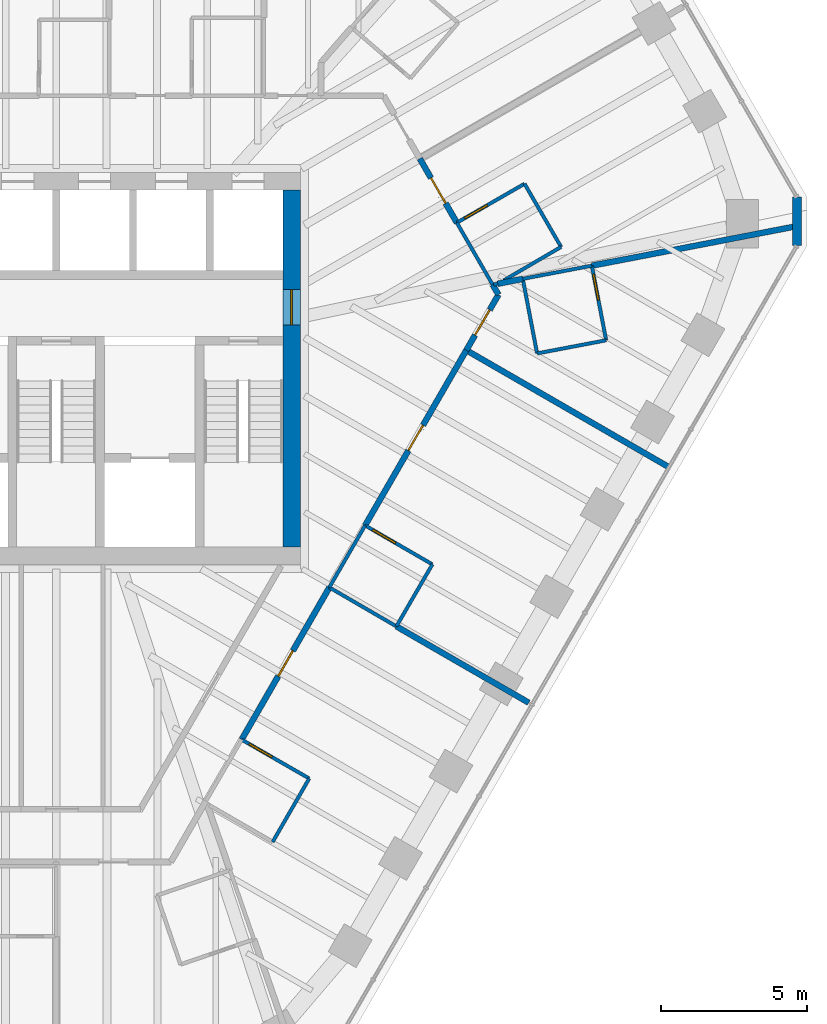
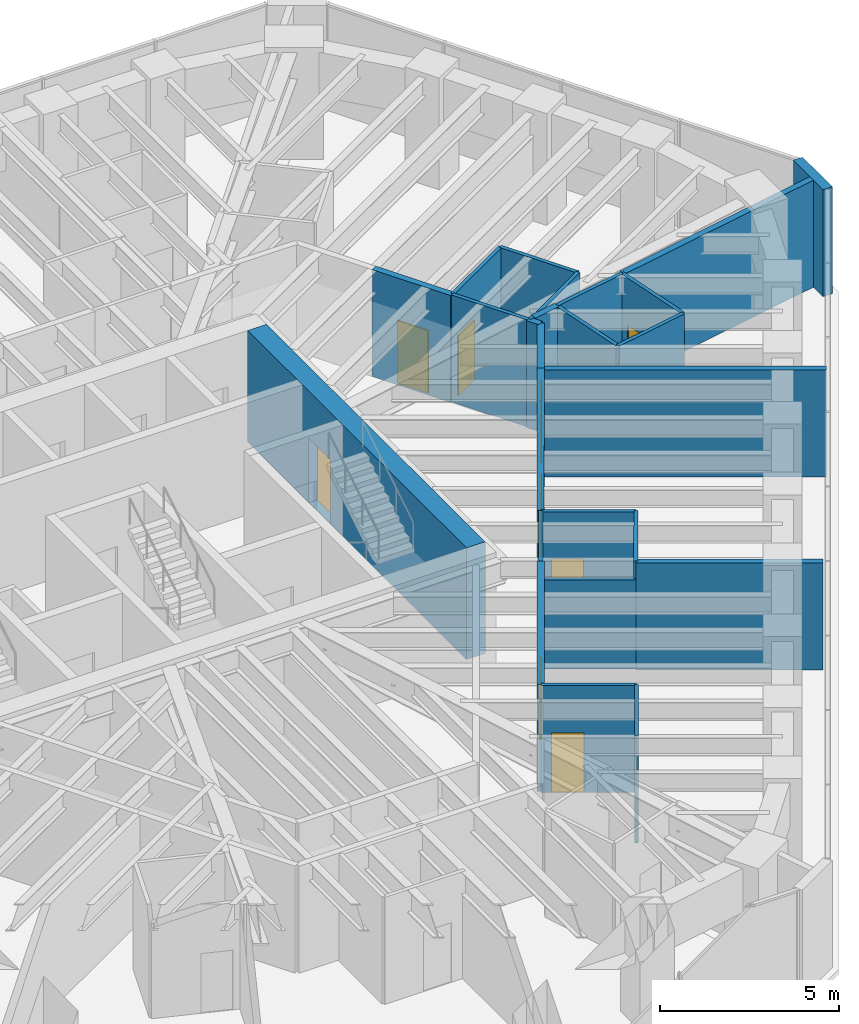
# One storey, part 11 of 14: 26 walls, 9 doors, 9 openings.
"""IFC4 building model written with IfcOpenShell, lengths in metres."""

from ifc_helpers import new_model, si_unit, direction, frame, frame_2d, origin, place, context, subcontext, project, spatial, rectangle, extrude, material, layer, layer_set, type_object, element, fill, save


model = new_model("IFC4")

# Units and contexts
model_context = context("Model", 3, precision=1e-05, world=origin(), true_north=direction((0.0, 1.0)))
body_context = subcontext(model_context, "Body", "Model", "MODEL_VIEW")
ifc_project = project(units=[si_unit("LENGTHUNIT", "METRE"), si_unit("AREAUNIT", "SQUARE_METRE"), si_unit("VOLUMEUNIT", "CUBIC_METRE"), si_unit("PLANEANGLEUNIT", "RADIAN"), si_unit("MASSUNIT", "GRAM", prefix="KILO")], contexts=[model_context])

# Site, building, storey
site_placement = place(None, origin())
site = spatial("IfcSite", under=ifc_project, at=site_placement, CompositionType="ELEMENT")
building_placement = place(site_placement, origin())
building = spatial("IfcBuilding", under=site, at=building_placement, Name="Sandreach Pilgrim Tower", CompositionType="ELEMENT")
storey_placement = place(building_placement, frame((0.0, 0.0, 276.0)))
storey = spatial("IfcBuildingStorey", under=building, at=storey_placement, Name="L69", CompositionType="ELEMENT", Elevation=276.0)

# Wall
ifc_material_1 = material(Name="Moisture-resistant gypsum board on steel studs", Category="steel")
ifc_layer_1 = layer(ifc_material_1, 0.1201171875)
ifc_layer_set_1 = layer_set([ifc_layer_1], Name="Bathroom partition 120")
wall_type_1 = type_object("IfcWallType", Name="Bathroom partition 120", PredefinedType="PARTITIONING", material=ifc_layer_set_1)
wall_1_placement = place(storey_placement, frame((7.39990234375, -16.179931640625, 0.0), z_axis=(0.0, 0.0, 1.0), x_axis=(0.499159685399, 0.866510016372, 0.0)))
element("IfcWall", 1, at=wall_1_placement, inside=storey, type_object=wall_type_1, Name="Bathroom partition L69-087", PredefinedType="PARTITIONING", context=body_context, shape_type="SweptSolid", body=[
    extrude(rectangle(XDim=2.504150390625, YDim=0.1201171875, at=frame_2d((1.251953125, 0.0))), origin(), (0.0, 0.0, 1.0), 3.639892578125),
])

# Wall, opening, door
wall_2_placement = place(storey_placement, frame((8.64990234375, -14.010009765625, 0.0), z_axis=(0.0, 0.0, 1.0), x_axis=(-0.866592449628, 0.499016559092, 0.0)))
wall_2 = element("IfcWall", 2, at=wall_2_placement, inside=storey, type_object=wall_type_1, Name="Bathroom partition L69-089", PredefinedType="PARTITIONING", context=body_context, shape_type="SweptSolid", body=[
    extrude(rectangle(XDim=2.665283203125, YDim=0.1201171875, at=frame_2d((1.33251953125, 0.0))), origin(), (0.0, 0.0, 1.0), 3.639892578125),
])
opening_1_placement = place(wall_2_placement, frame((1.465576171875, 0.0, 0.0)))
opening_1 = element("IfcOpeningElement", 3, at=opening_1_placement, cuts=wall_2, Name="Opening D09-09B", PredefinedType="OPENING", context=body_context, shape_type="SweptSolid", body=[
    extrude(rectangle(XDim=0.89990234375, YDim=2.030029296875, at=frame_2d((0.449951171875, 1.01513671875))), frame((0.0, 0.06005859375, 0.0), z_axis=(0.0, -1.0, 0.0), x_axis=(1.0, 0.0, 0.0)), (0.0, 0.0, 1.0), 0.1201171875),
])
ifc_material_2 = material(Name="Timber door, steel frame", Category="steel")
door_type_1 = type_object("IfcDoorType", Name="Bathroom door", OperationType="SINGLE_SWING_LEFT", PredefinedType="DOOR", material=ifc_material_2)
door_1_placement = place(opening_1_placement, origin())
door_1 = element("IfcDoor", 4, at=door_1_placement, inside=storey, type_object=door_type_1, Name="Door 6909B", OperationType="SINGLE_SWING_RIGHT", OverallHeight=2.030029296875, OverallWidth=0.89990234375, PredefinedType="DOOR", context=body_context, shape_type="SweptSolid", body=[
    extrude(rectangle(XDim=0.89990234375, YDim=2.030029296875, at=frame_2d((0.449951171875, 1.01513671875))), frame((0.0, 0.02490234375, 0.0), z_axis=(0.0, -1.0, 0.0), x_axis=(1.0, 0.0, 0.0)), (0.0, 0.0, 1.0), 0.050048828125),
])
fill(opening_1, door_1)

# Walls
wall_3_placement = place(storey_placement, frame((9.336669921875, -7.47802734375, 0.0), z_axis=(0.0, 0.0, 1.0), x_axis=(0.500186129468, 0.865917915214, 0.0)))
element("IfcWall", 5, at=wall_3_placement, inside=storey, type_object=wall_type_1, Name="Bathroom partition L69-092", PredefinedType="PARTITIONING", context=body_context, shape_type="SweptSolid", body=[
    extrude(rectangle(XDim=2.44580078125, YDim=0.1201171875, at=frame_2d((1.222900390625, 0.0))), origin(), (0.0, 0.0, 1.0), 3.639892578125),
])
wall_4_placement = place(storey_placement, frame((9.340087890625, -7.47998046875, 0.0), z_axis=(0.0, 0.0, 1.0), x_axis=(0.864703697948, -0.502282305835, 0.0)))
element("IfcWall", 6, at=wall_4_placement, inside=storey, type_object=wall_type_1, Name="Bathroom partition L69-093", PredefinedType="PARTITIONING", context=body_context, shape_type="SweptSolid", body=[
    extrude(rectangle(XDim=2.64794921875, YDim=0.1201171875, at=frame_2d((1.323974609375, 0.0))), origin(), (0.0, 0.0, 1.0), 3.0380859375),
])
wall_5_placement = place(storey_placement, frame((11.6298828125, -8.81005859375, 0.0), z_axis=(0.0, 0.0, 1.0), x_axis=(0.501888006485, 0.864932615264, 0.0)))
element("IfcWall", 7, at=wall_5_placement, inside=storey, type_object=wall_type_1, Name="Bathroom partition L69-101", PredefinedType="PARTITIONING", context=body_context, shape_type="SweptSolid", body=[
    extrude(rectangle(XDim=2.451171875, YDim=0.1201171875, at=frame_2d((1.2255859375, 0.0))), origin(), (0.0, 0.0, 1.0), 3.639892578125),
])

# Wall, opening, door
wall_6_placement = place(storey_placement, frame((12.860107421875, -6.68994140625, 0.0), z_axis=(0.0, 0.0, 1.0), x_axis=(-0.865675724273, 0.500605174168, 0.0)))
wall_6 = element("IfcWall", 8, at=wall_6_placement, inside=storey, type_object=wall_type_1, Name="Bathroom partition L69-105", PredefinedType="PARTITIONING", context=body_context, shape_type="SweptSolid", body=[
    extrude(rectangle(XDim=2.656982421875, YDim=0.1201171875, at=frame_2d((1.32861328125, 0.0))), origin(), (0.0, 0.0, 1.0), 3.639892578125),
])
opening_2_placement = place(wall_6_placement, frame((1.456787109375, 0.0, 0.0)))
opening_2 = element("IfcOpeningElement", 9, at=opening_2_placement, cuts=wall_6, Name="Opening D09-08B", PredefinedType="OPENING", context=body_context, shape_type="SweptSolid", body=[
    extrude(rectangle(XDim=0.89990234375, YDim=2.030029296875, at=frame_2d((0.449951171875, 1.01513671875))), frame((0.0, 0.06005859375, 0.0), z_axis=(0.0, -1.0, 0.0), x_axis=(1.0, 0.0, 0.0)), (0.0, 0.0, 1.0), 0.1201171875),
])
door_2_placement = place(opening_2_placement, origin())
door_2 = element("IfcDoor", 10, at=door_2_placement, inside=storey, type_object=door_type_1, Name="Door 6908B", OperationType="SINGLE_SWING_RIGHT", OverallHeight=2.030029296875, OverallWidth=0.89990234375, PredefinedType="DOOR", context=body_context, shape_type="SweptSolid", body=[
    extrude(rectangle(XDim=0.89990234375, YDim=2.030029296875, at=frame_2d((0.449951171875, 1.01513671875))), frame((0.0, 0.02490234375, 0.0), z_axis=(0.0, -1.0, 0.0), x_axis=(1.0, 0.0, 0.0)), (0.0, 0.0, 1.0), 0.050048828125),
])
fill(opening_2, door_2)

# Walls
wall_7_placement = place(storey_placement, frame((13.696533203125, 4.988037109375, 0.0), z_axis=(0.0, 0.0, 1.0), x_axis=(0.500142899558, -0.865942884965, 0.0)))
element("IfcWall", 11, at=wall_7_placement, inside=storey, type_object=wall_type_1, Name="Bathroom partition L69-106", PredefinedType="PARTITIONING", context=body_context, shape_type="SweptSolid", body=[
    extrude(rectangle(XDim=2.446044921875, YDim=0.1201171875, at=frame_2d((1.22314453125, 0.0))), origin(), (0.0, 0.0, 1.0), 3.639892578125),
])
wall_8_placement = place(storey_placement, frame((14.95458984375, 2.875732421875, 0.0), z_axis=(0.0, 0.0, 1.0), x_axis=(0.986483246584, 0.16386215002, 0.0)))
element("IfcWall", 12, at=wall_8_placement, inside=storey, type_object=wall_type_1, Name="Bathroom partition L69-110", PredefinedType="PARTITIONING", context=body_context, shape_type="SweptSolid", body=[
    extrude(rectangle(XDim=0.1474609375, YDim=0.1201171875, at=frame_2d((0.07373046875, 0.0))), origin(), (0.0, 0.0, 1.0), 3.639892578125),
])
wall_9_placement = place(storey_placement, frame((15.29443359375, 3.013427734375, 0.0), z_axis=(0.0, 0.0, 1.0), x_axis=(0.863798357138, 0.503837670491, 0.0)))
element("IfcWall", 13, at=wall_9_placement, inside=storey, type_object=wall_type_1, Name="Bathroom partition L69-111", PredefinedType="PARTITIONING", context=body_context, shape_type="SweptSolid", body=[
    extrude(rectangle(XDim=2.275390625, YDim=0.1201171875, at=frame_2d((1.1376953125, 0.0))), origin(), (0.0, 0.0, 1.0), 3.639892578125),
])
wall_10_placement = place(storey_placement, frame((15.949951171875, 3.070068359375, 0.0), z_axis=(0.0, 0.0, 1.0), x_axis=(0.188697442844, -0.982035271802, 0.0)))
element("IfcWall", 14, at=wall_10_placement, inside=storey, type_object=wall_type_1, Name="Bathroom partition L69-113", PredefinedType="PARTITIONING", context=body_context, shape_type="SweptSolid", body=[
    extrude(rectangle(XDim=2.5966796875, YDim=0.1201171875, at=frame_2d((1.29833984375, 0.0))), origin(), (0.0, 0.0, 1.0), 3.639892578125),
])
wall_11_placement = place(storey_placement, frame((15.949951171875, 3.070068359375, 0.0), z_axis=(0.0, 0.0, 1.0), x_axis=(0.982307423658, 0.187275533444, 0.0)))
element("IfcWall", 15, at=wall_11_placement, inside=storey, type_object=wall_type_1, Name="Bathroom partition L69-114", PredefinedType="PARTITIONING", context=body_context, shape_type="SweptSolid", body=[
    extrude(rectangle(XDim=2.402587890625, YDim=0.1201171875, at=frame_2d((1.201171875, 0.0))), origin(), (0.0, 0.0, 1.0), 3.639892578125),
])

# Wall, opening, door
wall_12_placement = place(storey_placement, frame((16.010009765625, 6.320068359375, 0.0), z_axis=(0.0, 0.0, 1.0), x_axis=(-0.866615255992, -0.498976951453, 0.0)))
wall_12 = element("IfcWall", 16, at=wall_12_placement, inside=storey, type_object=wall_type_1, Name="Bathroom partition L69-115", PredefinedType="PARTITIONING", context=body_context, shape_type="SweptSolid", body=[
    extrude(rectangle(XDim=2.66552734375, YDim=0.1201171875, at=frame_2d((1.332763671875, 0.0))), origin(), (0.0, 0.0, 1.0), 3.639892578125),
])
opening_3_placement = place(wall_12_placement, frame((1.465576171875, 0.0, 0.0)))
opening_3 = element("IfcOpeningElement", 17, at=opening_3_placement, cuts=wall_12, Name="Opening D09-06B", PredefinedType="OPENING", context=body_context, shape_type="SweptSolid", body=[
    extrude(rectangle(XDim=0.89990234375, YDim=2.030029296875, at=frame_2d((0.449951171875, 1.01513671875))), frame((0.0, 0.06005859375, 0.0), z_axis=(0.0, -1.0, 0.0), x_axis=(1.0, 0.0, 0.0)), (0.0, 0.0, 1.0), 0.1201171875),
])
door_3_placement = place(opening_3_placement, origin())
door_3 = element("IfcDoor", 18, at=door_3_placement, inside=storey, type_object=door_type_1, Name="Door 6906B", OperationType="SINGLE_SWING_RIGHT", OverallHeight=2.030029296875, OverallWidth=0.89990234375, PredefinedType="DOOR", context=body_context, shape_type="SweptSolid", body=[
    extrude(rectangle(XDim=0.89990234375, YDim=2.030029296875, at=frame_2d((0.449951171875, 1.01513671875))), frame((0.0, 0.02490234375, 0.0), z_axis=(0.0, -1.0, 0.0), x_axis=(1.0, 0.0, 0.0)), (0.0, 0.0, 1.0), 0.050048828125),
])
fill(opening_3, door_3)

# Walls
wall_13_placement = place(storey_placement, frame((16.43994140625, 0.52001953125, 0.0), z_axis=(0.0, 0.0, 1.0), x_axis=(0.982307423658, 0.187275533444, 0.0)))
element("IfcWall", 19, at=wall_13_placement, inside=storey, type_object=wall_type_1, Name="Bathroom partition L69-117", PredefinedType="PARTITIONING", context=body_context, shape_type="SweptSolid", body=[
    extrude(rectangle(XDim=2.402587890625, YDim=0.1201171875, at=frame_2d((1.201171875, 0.0))), origin(), (0.0, 0.0, 1.0), 3.639892578125),
])
wall_14_placement = place(storey_placement, frame((17.260009765625, 4.159912109375, 0.0), z_axis=(0.0, 0.0, 1.0), x_axis=(-0.500851167559, 0.865533423938, 0.0)))
element("IfcWall", 20, at=wall_14_placement, inside=storey, type_object=wall_type_1, Name="Bathroom partition L69-118", PredefinedType="PARTITIONING", context=body_context, shape_type="SweptSolid", body=[
    extrude(rectangle(XDim=2.495849609375, YDim=0.1201171875, at=frame_2d((1.248046875, 0.0))), origin(), (0.0, 0.0, 1.0), 3.639892578125),
])

# Wall, opening, door
wall_15_placement = place(storey_placement, frame((18.800048828125, 0.969970703125, 0.0), z_axis=(0.0, 0.0, 1.0), x_axis=(-0.188697442844, 0.982035271802, 0.0)))
wall_15 = element("IfcWall", 21, at=wall_15_placement, inside=storey, type_object=wall_type_1, Name="Bathroom partition L69-120", PredefinedType="PARTITIONING", context=body_context, shape_type="SweptSolid", body=[
    extrude(rectangle(XDim=2.5966796875, YDim=0.1201171875, at=frame_2d((1.29833984375, 0.0))), origin(), (0.0, 0.0, 1.0), 3.639892578125),
])
opening_4_placement = place(wall_15_placement, frame((1.396728515625, 0.0, 0.0)))
opening_4 = element("IfcOpeningElement", 22, at=opening_4_placement, cuts=wall_15, Name="Opening D09-07B", PredefinedType="OPENING", context=body_context, shape_type="SweptSolid", body=[
    extrude(rectangle(XDim=0.89990234375, YDim=2.030029296875, at=frame_2d((0.449951171875, 1.01513671875))), frame((0.0, 0.06005859375, 0.0), z_axis=(0.0, -1.0, 0.0), x_axis=(1.0, 0.0, 0.0)), (0.0, 0.0, 1.0), 0.1201171875),
])
door_4_placement = place(opening_4_placement, origin())
door_4 = element("IfcDoor", 23, at=door_4_placement, inside=storey, type_object=door_type_1, Name="Door 6907B", OperationType="SINGLE_SWING_RIGHT", OverallHeight=2.030029296875, OverallWidth=0.89990234375, PredefinedType="DOOR", context=body_context, shape_type="SweptSolid", body=[
    extrude(rectangle(XDim=0.89990234375, YDim=2.030029296875, at=frame_2d((0.449951171875, 1.01513671875))), frame((0.0, 0.02490234375, 0.0), z_axis=(0.0, -1.0, 0.0), x_axis=(1.0, 0.0, 0.0)), (0.0, 0.0, 1.0), 0.050048828125),
])
fill(opening_4, door_4)

ifc_material_3 = material(Name="Concrete 10000 psi", Category="concrete")
ifc_layer_2 = layer(ifc_material_3, 0.60009765625)
ifc_layer_set_2 = layer_set([ifc_layer_2], Name="Core wall 600")
wall_type_2 = type_object("IfcWallType", Name="Core wall 600", PredefinedType="SHEAR", material=ifc_layer_set_2)
wall_16_placement = place(storey_placement, frame((8.050048828125, -6.10009765625, 0.0), z_axis=(0.0, 0.0, 1.0), x_axis=(0.0, 1.0, 0.0)))
wall_16 = element("IfcWall", 24, at=wall_16_placement, inside=storey, type_object=wall_type_2, Name="Core wall E L69", PredefinedType="SHEAR", context=body_context, shape_type="SweptSolid", body=[
    extrude(rectangle(XDim=12.2001953125, YDim=0.60009765625, at=frame_2d((6.10009765625, 0.0))), origin(), (0.0, 0.0, 1.0), 3.800048828125),
])
opening_5_placement = place(wall_16_placement, frame((7.60009765625, 0.0, 0.0)))
opening_5 = element("IfcOpeningElement", 25, at=opening_5_placement, cuts=wall_16, Name="Opening D12F-E", PredefinedType="OPENING", context=body_context, shape_type="SweptSolid", body=[
    extrude(rectangle(XDim=1.199951171875, YDim=2.199951171875, at=frame_2d((0.60009765625, 1.10009765625))), frame((0.0, 0.300048828125, 0.0), z_axis=(0.0, -1.0, 0.0), x_axis=(1.0, 0.0, 0.0)), (0.0, 0.0, 1.0), 0.60009765625),
])
ifc_material_4 = material(Name="Steel door and frame", Category="steel")
door_type_2 = type_object("IfcDoorType", Name="Fire lobby door", OperationType="SINGLE_SWING_LEFT", PredefinedType="DOOR", material=ifc_material_4)
door_5_placement = place(opening_5_placement, origin())
door_5 = element("IfcDoor", 26, at=door_5_placement, inside=storey, type_object=door_type_2, Name="Fire service lobby door E L69", OperationType="SINGLE_SWING_RIGHT", OverallHeight=2.199951171875, OverallWidth=1.199951171875, PredefinedType="DOOR", context=body_context, shape_type="SweptSolid", body=[
    extrude(rectangle(XDim=1.199951171875, YDim=2.199951171875, at=frame_2d((0.60009765625, 1.10009765625))), frame((0.0, 0.02490234375, 0.0), z_axis=(0.0, -1.0, 0.0), x_axis=(1.0, 0.0, 0.0)), (0.0, 0.0, 1.0), 0.050048828125),
])
fill(opening_5, door_5)

ifc_material_5 = material(Name="Gypsum board on steel studs, two layers each side", Category="steel")
ifc_layer_3 = layer(ifc_material_5, 0.199951171875)
ifc_layer_set_3 = layer_set([ifc_layer_3], Name="Corridor wall 200")
wall_type_3 = type_object("IfcWallType", Name="Corridor wall 200", PredefinedType="PARTITIONING", material=ifc_layer_set_3)
wall_17_placement = place(storey_placement, frame((6.340087890625, -12.679931640625, 0.0), z_axis=(0.0, 0.0, 1.0), x_axis=(0.499725974117, 0.866183554908, 0.0)))
wall_17 = element("IfcWall", 27, at=wall_17_placement, inside=storey, type_object=wall_type_3, Name="Corridor wall L69-077", PredefinedType="PARTITIONING", context=body_context, shape_type="SweptSolid", body=[
    extrude(rectangle(XDim=6.003173828125, YDim=0.199951171875, at=frame_2d((3.00146484375, 0.0))), origin(), (0.0, 0.0, 1.0), 3.639892578125),
])
opening_6_placement = place(wall_17_placement, frame((2.501708984375, 0.0, 0.0)))
opening_6 = element("IfcOpeningElement", 28, at=opening_6_placement, cuts=wall_17, Name="Opening D10-09", PredefinedType="OPENING", context=body_context, shape_type="SweptSolid", body=[
    extrude(rectangle(XDim=1.0, YDim=2.1298828125, at=frame_2d((0.5, 1.06494140625))), frame((0.0, 0.10009765625, 0.0), z_axis=(0.0, -1.0, 0.0), x_axis=(1.0, 0.0, 0.0)), (0.0, 0.0, 1.0), 0.199951171875),
])
ifc_material_6 = material(Name="Steel door and frame", Category="steel")
door_type_3 = type_object("IfcDoorType", Name="Guest room entry door", OperationType="SINGLE_SWING_LEFT", PredefinedType="DOOR", material=ifc_material_6)
door_6_placement = place(opening_6_placement, origin())
door_6 = element("IfcDoor", 29, at=door_6_placement, inside=storey, type_object=door_type_3, Name="Door 6909", OperationType="SINGLE_SWING_LEFT", OverallHeight=2.1298828125, OverallWidth=1.0, PredefinedType="DOOR", context=body_context, shape_type="SweptSolid", body=[
    extrude(rectangle(XDim=1.0, YDim=2.1298828125, at=frame_2d((0.5, 1.06494140625))), frame((0.0, 0.02490234375, 0.0), z_axis=(0.0, -1.0, 0.0), x_axis=(1.0, 0.0, 0.0)), (0.0, 0.0, 1.0), 0.050048828125),
])
fill(opening_6, door_6)

wall_18_placement = place(storey_placement, frame((10.56005859375, -5.360107421875, 0.0), z_axis=(0.0, 0.0, 1.0), x_axis=(0.500162347976, 0.865931651845, 0.0)))
wall_18 = element("IfcWall", 30, at=wall_18_placement, inside=storey, type_object=wall_type_3, Name="Corridor wall L69-098", PredefinedType="PARTITIONING", context=body_context, shape_type="SweptSolid", body=[
    extrude(rectangle(XDim=6.917724609375, YDim=0.199951171875, at=frame_2d((3.458984375, 0.0))), origin(), (0.0, 0.0, 1.0), 3.639892578125),
])
opening_7_placement = place(wall_18_placement, frame((2.958740234375, 0.0, 0.0)))
opening_7 = element("IfcOpeningElement", 31, at=opening_7_placement, cuts=wall_18, Name="Opening D10-08", PredefinedType="OPENING", context=body_context, shape_type="SweptSolid", body=[
    extrude(rectangle(XDim=1.0, YDim=2.1298828125, at=frame_2d((0.5, 1.06494140625))), frame((0.0, 0.10009765625, 0.0), z_axis=(0.0, -1.0, 0.0), x_axis=(1.0, 0.0, 0.0)), (0.0, 0.0, 1.0), 0.199951171875),
])
door_7_placement = place(opening_7_placement, origin())
door_7 = element("IfcDoor", 32, at=door_7_placement, inside=storey, type_object=door_type_3, Name="Door 6908", OperationType="SINGLE_SWING_LEFT", OverallHeight=2.1298828125, OverallWidth=1.0, PredefinedType="DOOR", context=body_context, shape_type="SweptSolid", body=[
    extrude(rectangle(XDim=1.0, YDim=2.1298828125, at=frame_2d((0.5, 1.06494140625))), frame((0.0, 0.02490234375, 0.0), z_axis=(0.0, -1.0, 0.0), x_axis=(1.0, 0.0, 0.0)), (0.0, 0.0, 1.0), 0.050048828125),
])
fill(opening_7, door_7)

wall_19_placement = place(storey_placement, frame((12.429931640625, 7.179931640625, 0.0), z_axis=(0.0, 0.0, 1.0), x_axis=(0.500329012441, -0.865835365015, 0.0)))
wall_19 = element("IfcWall", 33, at=wall_19_placement, inside=storey, type_object=wall_type_3, Name="Corridor wall L69-104", PredefinedType="PARTITIONING", context=body_context, shape_type="SweptSolid", body=[
    extrude(rectangle(XDim=2.531494140625, YDim=0.199951171875, at=frame_2d((1.265625, 0.0))), origin(), (0.0, 0.0, 1.0), 3.639892578125),
])
opening_8_placement = place(wall_19_placement, frame((0.765869140625, 0.0, 0.0)))
opening_8 = element("IfcOpeningElement", 34, at=opening_8_placement, cuts=wall_19, Name="Opening D10-06", PredefinedType="OPENING", context=body_context, shape_type="SweptSolid", body=[
    extrude(rectangle(XDim=1.0, YDim=2.1298828125, at=frame_2d((0.5, 1.06494140625))), frame((0.0, 0.10009765625, 0.0), z_axis=(0.0, -1.0, 0.0), x_axis=(1.0, 0.0, 0.0)), (0.0, 0.0, 1.0), 0.199951171875),
])
door_8_placement = place(opening_8_placement, origin())
door_8 = element("IfcDoor", 35, at=door_8_placement, inside=storey, type_object=door_type_3, Name="Door 6906", OperationType="SINGLE_SWING_LEFT", OverallHeight=2.1298828125, OverallWidth=1.0, PredefinedType="DOOR", context=body_context, shape_type="SweptSolid", body=[
    extrude(rectangle(XDim=1.0, YDim=2.1298828125, at=frame_2d((0.5, 1.06494140625))), frame((0.0, 0.02490234375, 0.0), z_axis=(0.0, -1.0, 0.0), x_axis=(1.0, 0.0, 0.0)), (0.0, 0.0, 1.0), 0.050048828125),
])
fill(opening_8, door_8)

wall_20_placement = place(storey_placement, frame((14.02001953125, 0.6298828125, 0.0), z_axis=(0.0, 0.0, 1.0), x_axis=(0.500957366999, 0.865471961677, 0.0)))
wall_20 = element("IfcWall", 36, at=wall_20_placement, inside=storey, type_object=wall_type_3, Name="Corridor wall L69-108", PredefinedType="PARTITIONING", context=body_context, shape_type="SweptSolid", body=[
    extrude(rectangle(XDim=2.195556640625, YDim=0.199951171875, at=frame_2d((1.09765625, 0.0))), origin(), (0.0, 0.0, 1.0), 3.639892578125),
])
opening_9_placement = place(wall_20_placement, frame((0.59765625, 0.0, 0.0)))
opening_9 = element("IfcOpeningElement", 37, at=opening_9_placement, cuts=wall_20, Name="Opening D10-07", PredefinedType="OPENING", context=body_context, shape_type="SweptSolid", body=[
    extrude(rectangle(XDim=1.0, YDim=2.1298828125, at=frame_2d((0.5, 1.06494140625))), frame((0.0, 0.10009765625, 0.0), z_axis=(0.0, -1.0, 0.0), x_axis=(1.0, 0.0, 0.0)), (0.0, 0.0, 1.0), 0.199951171875),
])
door_9_placement = place(opening_9_placement, origin())
door_9 = element("IfcDoor", 38, at=door_9_placement, inside=storey, type_object=door_type_3, Name="Door 6907", OperationType="SINGLE_SWING_LEFT", OverallHeight=2.1298828125, OverallWidth=1.0, PredefinedType="DOOR", context=body_context, shape_type="SweptSolid", body=[
    extrude(rectangle(XDim=1.0, YDim=2.1298828125, at=frame_2d((0.5, 1.06494140625))), frame((0.0, 0.02490234375, 0.0), z_axis=(0.0, -1.0, 0.0), x_axis=(1.0, 0.0, 0.0)), (0.0, 0.0, 1.0), 0.050048828125),
])
fill(opening_9, door_9)

# Walls
wall_21_placement = place(storey_placement, frame((14.919921875, 2.8701171875, 0.0), z_axis=(0.0, 0.0, 1.0), x_axis=(0.507290461451, -0.861775137562, 0.0)))
element("IfcWall", 39, at=wall_21_placement, inside=storey, type_object=wall_type_3, Name="Corridor wall L69-109", PredefinedType="PARTITIONING", context=body_context, shape_type="SweptSolid", body=[
    extrude(rectangle(XDim=0.39453125, YDim=0.199951171875, at=frame_2d((0.197265625, 0.0))), origin(), (0.0, 0.0, 1.0), 3.639892578125),
])
ifc_material_7 = material(Name="Double steel stud acoustic wall, gypsum board", Category="steel")
ifc_layer_4 = layer(ifc_material_7, 0.199951171875)
ifc_layer_set_4 = layer_set([ifc_layer_4], Name="Party wall 200")
wall_type_4 = type_object("IfcWallType", Name="Party wall 200", PredefinedType="PARTITIONING", material=ifc_layer_set_4)
wall_22_placement = place(storey_placement, frame((15.949951171875, 3.070068359375, 0.0), z_axis=(0.0, 0.0, 1.0), x_axis=(-0.980975039503, -0.194133901912, 0.0)))
element("IfcWall", 40, at=wall_22_placement, inside=storey, type_object=wall_type_4, Name="Party wall L69-112", PredefinedType="PARTITIONING", context=body_context, shape_type="SweptSolid", body=[
    extrude(rectangle(XDim=0.87646484375, YDim=0.199951171875, at=frame_2d((0.438232421875, 0.0))), origin(), (0.0, 0.0, 1.0), 3.639892578125),
])
wall_23_placement = place(storey_placement, frame((16.156005859375, -11.420166015625, 0.0), z_axis=(0.0, 0.0, 1.0), x_axis=(-0.866278144217, 0.499561984995, 0.0)))
element("IfcWall", 41, at=wall_23_placement, inside=storey, type_object=wall_type_4, Name="Party wall L69-116", PredefinedType="PARTITIONING", context=body_context, shape_type="SweptSolid", body=[
    extrude(rectangle(XDim=5.224853515625, YDim=0.199951171875, at=frame_2d((2.6123046875, 0.0))), origin(), (0.0, 0.0, 1.0), 3.639892578125),
])
wall_24_placement = place(storey_placement, frame((18.31005859375, 3.52001953125, 0.0), z_axis=(0.0, 0.0, 1.0), x_axis=(0.981948758854, 0.189147125234, 0.0)))
element("IfcWall", 42, at=wall_24_placement, inside=storey, type_object=wall_type_4, Name="Party wall L69-119", PredefinedType="PARTITIONING", context=body_context, shape_type="SweptSolid", body=[
    extrude(rectangle(XDim=7.15966796875, YDim=0.199951171875, at=frame_2d((3.579833984375, 0.0))), origin(), (0.0, 0.0, 1.0), 3.639892578125),
])
wall_25_placement = place(storey_placement, frame((20.924072265625, -3.35498046875, 0.0), z_axis=(0.0, 0.0, 1.0), x_axis=(-0.866082379937, 0.499901301422, 0.0)))
element("IfcWall", 43, at=wall_25_placement, inside=storey, type_object=wall_type_4, Name="Party wall L69-121", PredefinedType="PARTITIONING", context=body_context, shape_type="SweptSolid", body=[
    extrude(rectangle(XDim=7.95654296875, YDim=0.199951171875, at=frame_2d((3.978271484375, 0.0))), origin(), (0.0, 0.0, 1.0), 3.639892578125),
])
ifc_material_8 = material(Name="Terracotta rainscreen on concrete", Category="masonry")
ifc_layer_5 = layer(ifc_material_8, 0.300048828125)
ifc_layer_set_5 = layer_set([ifc_layer_5], Name="Terracotta chamfer pier")
wall_type_5 = type_object("IfcWallType", Name="Terracotta chamfer pier", PredefinedType="SOLIDWALL", material=ifc_layer_set_5)
wall_26_placement = place(storey_placement, frame((25.3193359375, 5.861572265625, 0.0), z_axis=(0.0, 0.0, 1.0), x_axis=(0.0, -1.0, 0.0)))
element("IfcWall", 44, at=wall_26_placement, inside=storey, type_object=wall_type_5, Name="Chamfer pier L69 NE", PredefinedType="SOLIDWALL", context=body_context, shape_type="SweptSolid", body=[
    extrude(rectangle(XDim=1.659912109375, YDim=0.300048828125, at=frame_2d((0.830078125, 0.0))), origin(), (0.0, 0.0, 1.0), 3.639892578125),
])

save(model, "model.ifc")
